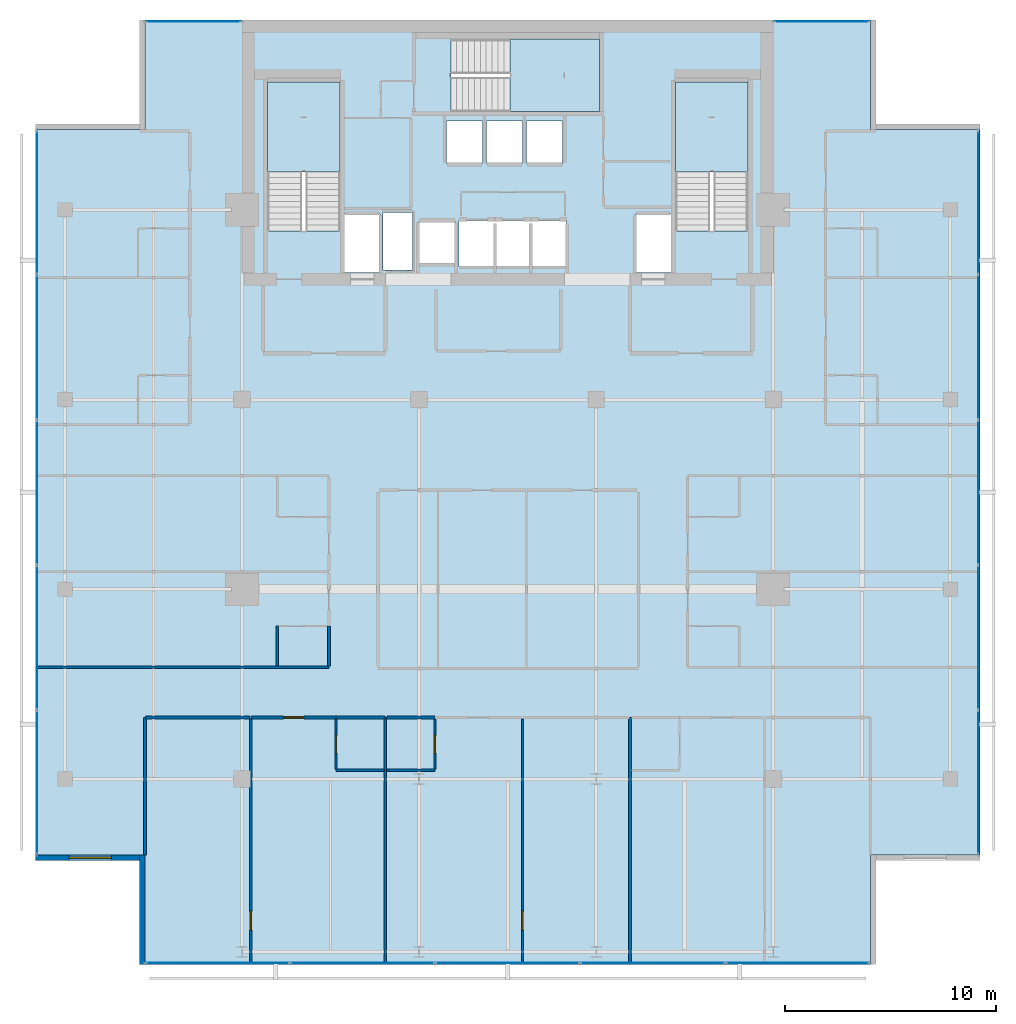
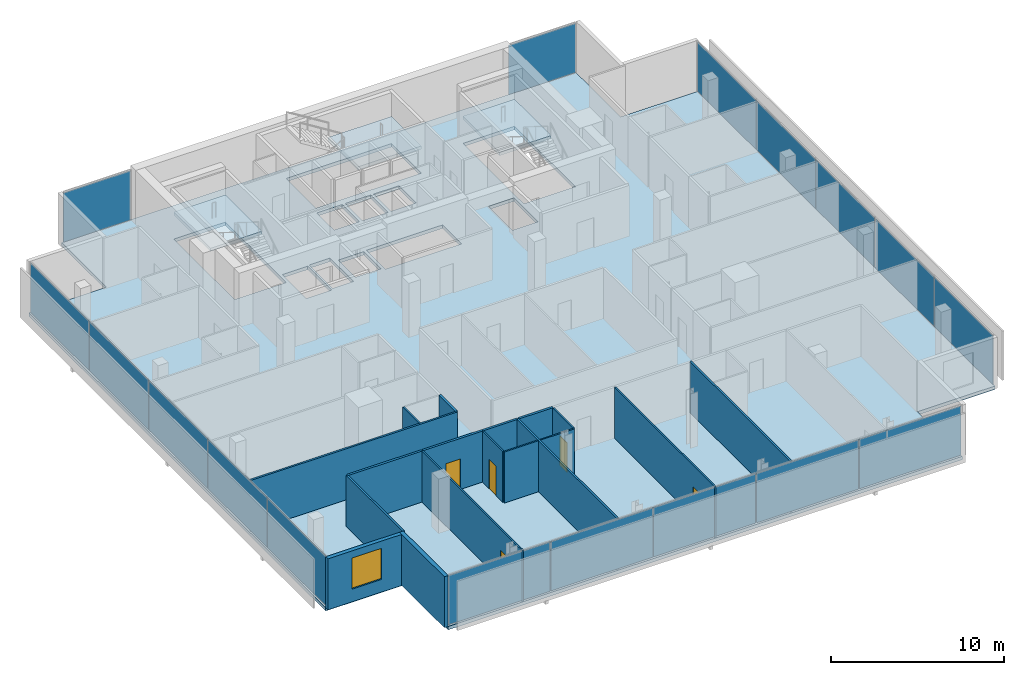
# One storey, part 19 of 25: 18 walls, 17 plates, 5 doors, 4 slabs, 1 window, 6 openings, 8 elements without a shape of their own.
"""IFC4 building model written with IfcOpenShell, lengths in metres."""

from ifc_helpers import new_model, si_unit, direction, frame, frame_2d, origin, origin_2d, place, context, subcontext, project, spatial, polyline, rectangle, outline, extrude, material, layer, layer_set, type_object, element, fill, aggregate, save


model = new_model("IFC4")

# Units and contexts
model_context = context("Model", 3, precision=1e-05, world=origin(), true_north=direction((0.0, 1.0)))
body_context = subcontext(model_context, "Body", "Model", "MODEL_VIEW")
ifc_project = project(units=[si_unit("LENGTHUNIT", "METRE"), si_unit("AREAUNIT", "SQUARE_METRE"), si_unit("VOLUMEUNIT", "CUBIC_METRE"), si_unit("PLANEANGLEUNIT", "RADIAN"), si_unit("MASSUNIT", "GRAM", prefix="KILO")], contexts=[model_context])

# Site, building, storey
site_placement = place(None, origin())
site = spatial("IfcSite", under=ifc_project, at=site_placement, CompositionType="ELEMENT")
building_placement = place(site_placement, origin())
building = spatial("IfcBuilding", under=site, at=building_placement, Name="Maruvema Waterfront Hotel and Observation Tower", CompositionType="ELEMENT")
storey_placement = place(building_placement, frame((0.0, 0.0, 304.85009765625)))
storey = spatial("IfcBuildingStorey", under=building, at=storey_placement, Name="L75", CompositionType="ELEMENT", Elevation=304.85009765625)

# Slab
ifc_material_1 = material(Name="Concrete C50/60", Category="concrete")
ifc_layer_1 = layer(ifc_material_1, 0.239990234375, Name="Reinforced Concrete Floor Slab 240 mm")
ifc_layer_set_1 = layer_set([ifc_layer_1], Name="Concrete C50/60")
slab_type_1 = type_object("IfcSlabType", Name="Reinforced Concrete Floor Slab 240 mm", PredefinedType="FLOOR", material=ifc_layer_set_1)
slab_1_placement = place(storey_placement, frame((0.0, 0.0, -0.239990234375)))
element("IfcSlab", 1, at=slab_1_placement, inside=storey, type_object=slab_type_1, Name="L75 Structural Floor Slab", PredefinedType="FLOOR", context=body_context, shape_type="SweptSolid", body=[
    extrude(outline(polyline([(20.60009765625, 9.199951171875), (55.0, 9.199951171875), (55.0, 14.39990234375), (60.199951171875, 14.39990234375), (60.199951171875, 48.800048828125), (55.0, 48.800048828125), (55.0, 54.0), (20.60009765625, 54.0), (20.60009765625, 48.800048828125), (15.39990234375, 48.800048828125), (15.39990234375, 14.39990234375), (20.60009765625, 14.39990234375), (20.60009765625, 9.199951171875)]), holes=[polyline([(26.39990234375, 44.00048828125), (26.39990234375, 51.050048828125), (29.85009765625, 51.050048828125), (29.85009765625, 44.00048828125), (26.39990234375, 44.00048828125)]), polyline([(30.050048828125, 44.800048828125), (31.75, 44.800048828125), (31.75, 42.02001953125), (30.050048828125, 42.02001953125), (30.050048828125, 44.800048828125)]), polyline([(31.8798828125, 42.139892578125), (31.8798828125, 44.860107421875), (33.280029296875, 44.860107421875), (33.280029296875, 42.139892578125), (31.8798828125, 42.139892578125)]), polyline([(33.60009765625, 44.449951171875), (35.300048828125, 44.449951171875), (35.300048828125, 42.449951171875), (33.60009765625, 42.449951171875), (33.60009765625, 44.449951171875)]), polyline([(34.89990234375, 49.199951171875), (36.60009765625, 49.199951171875), (36.60009765625, 47.199951171875), (34.89990234375, 47.199951171875), (34.89990234375, 49.199951171875)]), polyline([(36.800048828125, 47.199951171875), (36.800048828125, 49.199951171875), (38.5, 49.199951171875), (38.5, 47.199951171875), (36.800048828125, 47.199951171875)]), polyline([(35.5, 42.300048828125), (35.5, 44.5), (40.60009765625, 44.5), (40.60009765625, 42.300048828125), (35.5, 42.300048828125)]), polyline([(35.1005859375, 53.10009765625), (42.14990234375, 53.10009765625), (42.14990234375, 49.64990234375), (35.1005859375, 49.64990234375), (35.1005859375, 53.10009765625)]), polyline([(38.699951171875, 49.199951171875), (40.39990234375, 49.199951171875), (40.39990234375, 47.199951171875), (38.699951171875, 47.199951171875), (38.699951171875, 49.199951171875)]), polyline([(43.85009765625, 44.800048828125), (45.550048828125, 44.800048828125), (45.550048828125, 42.02001953125), (43.85009765625, 42.02001953125), (43.85009765625, 44.800048828125)]), polyline([(45.75, 44.00048828125), (45.75, 51.050048828125), (49.199951171875, 51.050048828125), (49.199951171875, 44.00048828125), (45.75, 44.00048828125)])]), origin(), (0.0, 0.0, 1.0), 0.239990234375),
])

# Curtain wall, plates
ifc_material_2 = material(Name="Anodised bronze aluminium and solar-control low-E IGU", Category="aluminium")
ifc_layer_2 = layer(ifc_material_2, 0.159912109375, Name="Zone 3 Champagne Inner Thermal Curtain Wall System CW-04")
ifc_layer_set_2 = layer_set([ifc_layer_2], Name="Anodised bronze aluminium and solar-control low-E IGU")
curtain_wall_type = type_object("IfcCurtainWallType", Name="Zone 3 Champagne Inner Thermal Curtain Wall System CW-04", PredefinedType="USERDEFINED", material=ifc_layer_set_2)
curtain_wall_1_placement = place(storey_placement, origin())
curtain_wall_1 = element("IfcCurtainWall", 2, at=curtain_wall_1_placement, inside=storey, type_object=curtain_wall_type, Name="L75 Curtain Wall CW-L75-S", ObjectType="UNITISED CURTAIN WALL", PredefinedType="USERDEFINED")
ifc_material_3 = material(Name="Laminated low-E solar-control double glazing", Category="glass")
ifc_layer_3 = layer(ifc_material_3, 0.035888671875, Name="Solar Control Double-Glazed Curtain Panel 36 mm")
ifc_layer_set_3 = layer_set([ifc_layer_3], Name="Laminated low-E solar-control double glazing")
plate_type = type_object("IfcPlateType", Name="Solar Control Double-Glazed Curtain Panel 36 mm", PredefinedType="CURTAIN_PANEL", material=ifc_layer_set_3)
plate_1_placement = place(storey_placement, frame((24.054931640625, 9.280029296875, 0.06005859375), z_axis=(0.0, 0.0, 1.0), x_axis=(1.0, 0.0, 0.0)))
plate_1 = element("IfcPlate", 3, at=plate_1_placement, type_object=plate_type, Name="CW-04 panel 1.1", PredefinedType="CURTAIN_PANEL", context=body_context, shape_type="SweptSolid", body=[
    extrude(rectangle(XDim=6.7900390625, YDim=0.028076171875, at=origin_2d()), origin(), (0.0, 0.0, 1.0), 3.489990234375),
])
plate_2_placement = place(storey_placement, frame((30.919921875, 9.280029296875, 0.06005859375), z_axis=(0.0, 0.0, 1.0), x_axis=(1.0, 0.0, 0.0)))
plate_2 = element("IfcPlate", 4, at=plate_2_placement, type_object=plate_type, Name="CW-04 panel 2.1", PredefinedType="CURTAIN_PANEL", context=body_context, shape_type="SweptSolid", body=[
    extrude(rectangle(XDim=6.820068359375, YDim=0.028076171875, at=origin_2d()), origin(), (0.0, 0.0, 1.0), 3.489990234375),
])
plate_3_placement = place(storey_placement, frame((37.800048828125, 9.280029296875, 0.06005859375), z_axis=(0.0, 0.0, 1.0), x_axis=(1.0, 0.0, 0.0)))
plate_3 = element("IfcPlate", 5, at=plate_3_placement, type_object=plate_type, Name="CW-04 panel 3.1", PredefinedType="CURTAIN_PANEL", context=body_context, shape_type="SweptSolid", body=[
    extrude(rectangle(XDim=6.820068359375, YDim=0.028076171875, at=origin_2d()), origin(), (0.0, 0.0, 1.0), 3.489990234375),
])
plate_4_placement = place(storey_placement, frame((44.679931640625, 9.280029296875, 0.06005859375), z_axis=(0.0, 0.0, 1.0), x_axis=(1.0, 0.0, 0.0)))
plate_4 = element("IfcPlate", 6, at=plate_4_placement, type_object=plate_type, Name="CW-04 panel 4.1", PredefinedType="CURTAIN_PANEL", context=body_context, shape_type="SweptSolid", body=[
    extrude(rectangle(XDim=6.820068359375, YDim=0.028076171875, at=origin_2d()), origin(), (0.0, 0.0, 1.0), 3.489990234375),
])
plate_5_placement = place(storey_placement, frame((51.544921875, 9.280029296875, 0.06005859375), z_axis=(0.0, 0.0, 1.0), x_axis=(1.0, 0.0, 0.0)))
plate_5 = element("IfcPlate", 7, at=plate_5_placement, type_object=plate_type, Name="CW-04 panel 5.1", PredefinedType="CURTAIN_PANEL", context=body_context, shape_type="SweptSolid", body=[
    extrude(rectangle(XDim=6.7900390625, YDim=0.028076171875, at=origin_2d()), origin(), (0.0, 0.0, 1.0), 3.489990234375),
])
aggregate(curtain_wall_1, [plate_1, plate_2, plate_3, plate_4, plate_5])

curtain_wall_2_placement = place(storey_placement, origin())
curtain_wall_2 = element("IfcCurtainWall", 8, at=curtain_wall_2_placement, inside=storey, type_object=curtain_wall_type, Name="L75 Curtain Wall CW-L75-E", ObjectType="UNITISED CURTAIN WALL", PredefinedType="USERDEFINED")
plate_6_placement = place(storey_placement, frame((60.1201171875, 17.85498046875, 0.06005859375), z_axis=(0.0, 0.0, 1.0), x_axis=(0.0, 1.0, 0.0)))
plate_6 = element("IfcPlate", 9, at=plate_6_placement, type_object=plate_type, Name="CW-04 panel 1.1", PredefinedType="CURTAIN_PANEL", context=body_context, shape_type="SweptSolid", body=[
    extrude(rectangle(XDim=6.7900390625, YDim=0.028076171875, at=origin_2d()), origin(), (0.0, 0.0, 1.0), 3.489990234375),
])
plate_7_placement = place(storey_placement, frame((60.1201171875, 24.719970703125, 0.06005859375), z_axis=(0.0, 0.0, 1.0), x_axis=(0.0, 1.0, 0.0)))
plate_7 = element("IfcPlate", 10, at=plate_7_placement, type_object=plate_type, Name="CW-04 panel 2.1", PredefinedType="CURTAIN_PANEL", context=body_context, shape_type="SweptSolid", body=[
    extrude(rectangle(XDim=6.820068359375, YDim=0.028076171875, at=origin_2d()), origin(), (0.0, 0.0, 1.0), 3.489990234375),
])
plate_8_placement = place(storey_placement, frame((60.1201171875, 31.60009765625, 0.06005859375), z_axis=(0.0, 0.0, 1.0), x_axis=(0.0, 1.0, 0.0)))
plate_8 = element("IfcPlate", 11, at=plate_8_placement, type_object=plate_type, Name="CW-04 panel 3.1", PredefinedType="CURTAIN_PANEL", context=body_context, shape_type="SweptSolid", body=[
    extrude(rectangle(XDim=6.820068359375, YDim=0.028076171875, at=origin_2d()), origin(), (0.0, 0.0, 1.0), 3.489990234375),
])
plate_9_placement = place(storey_placement, frame((60.1201171875, 38.47998046875, 0.06005859375), z_axis=(0.0, 0.0, 1.0), x_axis=(0.0, 1.0, 0.0)))
plate_9 = element("IfcPlate", 12, at=plate_9_placement, type_object=plate_type, Name="CW-04 panel 4.1", PredefinedType="CURTAIN_PANEL", context=body_context, shape_type="SweptSolid", body=[
    extrude(rectangle(XDim=6.820068359375, YDim=0.028076171875, at=origin_2d()), origin(), (0.0, 0.0, 1.0), 3.489990234375),
])
plate_10_placement = place(storey_placement, frame((60.1201171875, 45.344970703125, 0.06005859375), z_axis=(0.0, 0.0, 1.0), x_axis=(0.0, 1.0, 0.0)))
plate_10 = element("IfcPlate", 13, at=plate_10_placement, type_object=plate_type, Name="CW-04 panel 5.1", PredefinedType="CURTAIN_PANEL", context=body_context, shape_type="SweptSolid", body=[
    extrude(rectangle(XDim=6.7900390625, YDim=0.028076171875, at=origin_2d()), origin(), (0.0, 0.0, 1.0), 3.489990234375),
])
aggregate(curtain_wall_2, [plate_6, plate_7, plate_8, plate_9, plate_10])

curtain_wall_3_placement = place(storey_placement, origin())
curtain_wall_3 = element("IfcCurtainWall", 14, at=curtain_wall_3_placement, inside=storey, type_object=curtain_wall_type, Name="L75 Curtain Wall CW-L75-W", ObjectType="UNITISED CURTAIN WALL", PredefinedType="USERDEFINED")
plate_11_placement = place(storey_placement, frame((15.47998046875, 45.344970703125, 0.06005859375), z_axis=(0.0, 0.0, 1.0), x_axis=(0.0, -1.0, 0.0)))
plate_11 = element("IfcPlate", 15, at=plate_11_placement, type_object=plate_type, Name="CW-04 panel 1.1", PredefinedType="CURTAIN_PANEL", context=body_context, shape_type="SweptSolid", body=[
    extrude(rectangle(XDim=6.7900390625, YDim=0.028076171875, at=origin_2d()), origin(), (0.0, 0.0, 1.0), 3.489990234375),
])
plate_12_placement = place(storey_placement, frame((15.47998046875, 38.47998046875, 0.06005859375), z_axis=(0.0, 0.0, 1.0), x_axis=(0.0, -1.0, 0.0)))
plate_12 = element("IfcPlate", 16, at=plate_12_placement, type_object=plate_type, Name="CW-04 panel 2.1", PredefinedType="CURTAIN_PANEL", context=body_context, shape_type="SweptSolid", body=[
    extrude(rectangle(XDim=6.820068359375, YDim=0.028076171875, at=origin_2d()), origin(), (0.0, 0.0, 1.0), 3.489990234375),
])
plate_13_placement = place(storey_placement, frame((15.47998046875, 31.60009765625, 0.06005859375), z_axis=(0.0, 0.0, 1.0), x_axis=(0.0, -1.0, 0.0)))
plate_13 = element("IfcPlate", 17, at=plate_13_placement, type_object=plate_type, Name="CW-04 panel 3.1", PredefinedType="CURTAIN_PANEL", context=body_context, shape_type="SweptSolid", body=[
    extrude(rectangle(XDim=6.820068359375, YDim=0.028076171875, at=origin_2d()), origin(), (0.0, 0.0, 1.0), 3.489990234375),
])
plate_14_placement = place(storey_placement, frame((15.47998046875, 24.719970703125, 0.06005859375), z_axis=(0.0, 0.0, 1.0), x_axis=(0.0, -1.0, 0.0)))
plate_14 = element("IfcPlate", 18, at=plate_14_placement, type_object=plate_type, Name="CW-04 panel 4.1", PredefinedType="CURTAIN_PANEL", context=body_context, shape_type="SweptSolid", body=[
    extrude(rectangle(XDim=6.820068359375, YDim=0.028076171875, at=origin_2d()), origin(), (0.0, 0.0, 1.0), 3.489990234375),
])
plate_15_placement = place(storey_placement, frame((15.47998046875, 17.85498046875, 0.06005859375), z_axis=(0.0, 0.0, 1.0), x_axis=(0.0, -1.0, 0.0)))
plate_15 = element("IfcPlate", 19, at=plate_15_placement, type_object=plate_type, Name="CW-04 panel 5.1", PredefinedType="CURTAIN_PANEL", context=body_context, shape_type="SweptSolid", body=[
    extrude(rectangle(XDim=6.7900390625, YDim=0.028076171875, at=origin_2d()), origin(), (0.0, 0.0, 1.0), 3.489990234375),
])
aggregate(curtain_wall_3, [plate_11, plate_12, plate_13, plate_14, plate_15])

# Curtain wall, plate
curtain_wall_4_placement = place(storey_placement, origin())
curtain_wall_4 = element("IfcCurtainWall", 20, at=curtain_wall_4_placement, inside=storey, type_object=curtain_wall_type, Name="L75 Curtain Wall CW-L75-NW", ObjectType="UNITISED CURTAIN WALL", PredefinedType="USERDEFINED")
plate_16_placement = place(storey_placement, frame((22.89990234375, 53.919921875, 0.06005859375), z_axis=(0.0, 0.0, 1.0), x_axis=(-1.0, 0.0, 0.0)))
plate_16 = element("IfcPlate", 21, at=plate_16_placement, type_object=plate_type, Name="CW-04 panel 1.1", PredefinedType="CURTAIN_PANEL", context=body_context, shape_type="SweptSolid", body=[
    extrude(rectangle(XDim=4.47998046875, YDim=0.028076171875, at=origin_2d()), origin(), (0.0, 0.0, 1.0), 3.489990234375),
])
aggregate(curtain_wall_4, [plate_16])

curtain_wall_5_placement = place(storey_placement, origin())
curtain_wall_5 = element("IfcCurtainWall", 22, at=curtain_wall_5_placement, inside=storey, type_object=curtain_wall_type, Name="L75 Curtain Wall CW-L75-NE", ObjectType="UNITISED CURTAIN WALL", PredefinedType="USERDEFINED")
plate_17_placement = place(storey_placement, frame((52.699951171875, 53.919921875, 0.06005859375), z_axis=(0.0, 0.0, 1.0), x_axis=(-1.0, 0.0, 0.0)))
plate_17 = element("IfcPlate", 23, at=plate_17_placement, type_object=plate_type, Name="CW-04 panel 1.1", PredefinedType="CURTAIN_PANEL", context=body_context, shape_type="SweptSolid", body=[
    extrude(rectangle(XDim=4.47998046875, YDim=0.028076171875, at=origin_2d()), origin(), (0.0, 0.0, 1.0), 3.489990234375),
])
aggregate(curtain_wall_5, [plate_17])

# Stair, slab
ifc_material_4 = material(Name="Concrete C50/60", Category="concrete")
stair_type = type_object("IfcStairType", Name="Dogleg Exit Stair 1650 mm (22R x 175.0 mm)", PredefinedType="HALF_TURN_STAIR", material=ifc_material_4)
stair_1_placement = place(storey_placement, origin())
stair_1 = element("IfcStair", 24, at=stair_1_placement, inside=storey, type_object=stair_type, Name="L75 ST-01", PredefinedType="HALF_TURN_STAIR")
ifc_material_5 = material(Name="Concrete C50/60", Category="concrete")
ifc_layer_4 = layer(ifc_material_5, 0.219970703125, Name="Stair Concrete Landing Slab 220 mm")
ifc_layer_set_4 = layer_set([ifc_layer_4], Name="Concrete C50/60")
slab_type_2 = type_object("IfcSlabType", Name="Stair Concrete Landing Slab 220 mm", PredefinedType="LANDING", material=ifc_layer_set_4)
slab_2_placement = place(storey_placement, frame((0.0, 0.0, 1.704833984375)))
slab_2 = element("IfcSlab", 25, at=slab_2_placement, type_object=slab_type_2, Name="ST-01 landing 1", PredefinedType="LANDING", context=body_context, shape_type="SweptSolid", body=[
    extrude(outline(polyline([(29.85009765625, 46.800048828125), (29.85009765625, 51.050048828125), (26.39990234375, 51.050048828125), (26.39990234375, 46.800048828125), (29.85009765625, 46.800048828125)])), origin(), (0.0, 0.0, 1.0), 0.219970703125),
])
aggregate(stair_1, [slab_2])

stair_2_placement = place(storey_placement, origin())
stair_2 = element("IfcStair", 26, at=stair_2_placement, inside=storey, type_object=stair_type, Name="L75 ST-02", PredefinedType="HALF_TURN_STAIR")
slab_3_placement = place(storey_placement, frame((0.0, 0.0, 1.704833984375)))
slab_3 = element("IfcSlab", 27, at=slab_3_placement, type_object=slab_type_2, Name="ST-02 landing 1", PredefinedType="LANDING", context=body_context, shape_type="SweptSolid", body=[
    extrude(outline(polyline([(37.89990234375, 49.64990234375), (42.14990234375, 49.64990234375), (42.14990234375, 53.10009765625), (37.89990234375, 53.10009765625), (37.89990234375, 49.64990234375)])), origin(), (0.0, 0.0, 1.0), 0.219970703125),
])
aggregate(stair_2, [slab_3])

stair_3_placement = place(storey_placement, origin())
stair_3 = element("IfcStair", 28, at=stair_3_placement, inside=storey, type_object=stair_type, Name="L75 ST-03", PredefinedType="HALF_TURN_STAIR")
slab_4_placement = place(storey_placement, frame((0.0, 0.0, 1.704833984375)))
slab_4 = element("IfcSlab", 29, at=slab_4_placement, type_object=slab_type_2, Name="ST-03 landing 1", PredefinedType="LANDING", context=body_context, shape_type="SweptSolid", body=[
    extrude(outline(polyline([(49.199951171875, 46.800048828125), (49.199951171875, 51.050048828125), (45.75, 51.050048828125), (45.75, 46.800048828125), (49.199951171875, 46.800048828125)])), origin(), (0.0, 0.0, 1.0), 0.219970703125),
])
aggregate(stair_3, [slab_4])

# Walls
ifc_material_6 = material(Name="Twin-stud acoustic gypsum drywall", Category="gypsum")
ifc_layer_5 = layer(ifc_material_6, 0.14990234375, Name="Acoustic Corridor and Suite Demising Wall 150 mm")
ifc_layer_set_5 = layer_set([ifc_layer_5], Name="Twin-stud acoustic gypsum drywall")
wall_type_1 = type_object("IfcWallType", Name="Acoustic Corridor and Suite Demising Wall 150 mm", PredefinedType="PARTITIONING", material=ifc_layer_set_5)
wall_1_placement = place(storey_placement, frame((29.64990234375, 20.919921875, 0.0), z_axis=(0.0, 0.0, 1.0), x_axis=(1.0, 0.0, 0.0)))
element("IfcWall", 30, at=wall_1_placement, inside=storey, type_object=wall_type_1, Name="L75 Bath L75-S1 Back Wall 035", PredefinedType="PARTITIONING", context=body_context, shape_type="SweptSolid", body=[
    extrude(rectangle(XDim=2.330078125, YDim=0.14990234375, at=frame_2d((1.1650390625, 0.0))), origin(), (0.0, 0.0, 1.0), 3.60986328125),
])
wall_2_placement = place(storey_placement, frame((20.6201171875, 20.919921875, 0.0), z_axis=(0.0, 0.0, 1.0), x_axis=(1.0, 0.0, 0.0)))
element("IfcWall", 31, at=wall_2_placement, inside=storey, type_object=wall_type_1, Name="L75 Bedroom L75-S1 Back Wall 038", PredefinedType="PARTITIONING", context=body_context, shape_type="SweptSolid", body=[
    extrude(rectangle(XDim=4.955810546875, YDim=0.14990234375, at=frame_2d((2.47802734375, 0.0))), origin(), (0.0, 0.0, 1.0), 3.60986328125),
])

# Wall, opening, door
wall_3_placement = place(storey_placement, frame((25.656005859375, 20.919921875, 0.0), z_axis=(0.0, 0.0, 1.0), x_axis=(1.0, 0.0, 0.0)))
wall_3 = element("IfcWall", 32, at=wall_3_placement, inside=storey, type_object=wall_type_1, Name="L75 Unit L75-S1 Corridor Wall 039", PredefinedType="PARTITIONING", context=body_context, shape_type="SweptSolid", body=[
    extrude(rectangle(XDim=3.993896484375, YDim=0.14990234375, at=frame_2d((1.9970703125, 0.0))), origin(), (0.0, 0.0, 1.0), 3.60986328125),
])
opening_1_placement = place(wall_3_placement, frame((1.52197265625, 0.0, 0.0)))
opening_1 = element("IfcOpeningElement", 33, at=opening_1_placement, cuts=wall_3, Name="Opening DR-095", PredefinedType="OPENING", context=body_context, shape_type="SweptSolid", body=[
    extrude(rectangle(XDim=0.949951171875, YDim=2.14990234375, at=frame_2d((0.47509765625, 1.074951171875))), frame((0.0, 0.0849609375, 0.0), z_axis=(0.0, -1.0, 0.0), x_axis=(1.0, 0.0, 0.0)), (0.0, 0.0, 1.0), 0.169921875),
])
ifc_material_7 = material(Name="Acoustic solid-core hardwood timber leaf", Category="wood")
door_type_1 = type_object("IfcDoorType", Name="Guestroom Entrance Fire Door 950x2150 mm", OperationType="NOTDEFINED", PredefinedType="DOOR", material=ifc_material_7)
door_1_placement = place(opening_1_placement, frame((0.949951171875, 0.0, 0.0), z_axis=(0.0, 0.0, 1.0), x_axis=(-1.0, 0.0, 0.0)))
door_1 = element("IfcDoor", 34, at=door_1_placement, inside=storey, type_object=door_type_1, Name="L75 Unit L75-S1 Entrance Door", OperationType="SINGLE_SWING_RIGHT", OverallHeight=2.14990234375, OverallWidth=0.949951171875, PredefinedType="DOOR", context=body_context, shape_type="SweptSolid", body=[
    extrude(rectangle(XDim=0.949951171875, YDim=2.14990234375, at=frame_2d((0.47509765625, 1.074951171875))), frame((0.0, 0.02490234375, 0.0), z_axis=(0.0, -1.0, 0.0), x_axis=(1.0, 0.0, 0.0)), (0.0, 0.0, 1.0), 0.050048828125),
])
fill(opening_1, door_1)

# Walls
wall_4_placement = place(storey_placement, frame((32.080078125, 20.919921875, 0.0), z_axis=(0.0, 0.0, 1.0), x_axis=(1.0, 0.0, 0.0)))
element("IfcWall", 35, at=wall_4_placement, inside=storey, type_object=wall_type_1, Name="L75 Bath L75-S2 Back Wall 042", PredefinedType="PARTITIONING", context=body_context, shape_type="SweptSolid", body=[
    extrude(rectangle(XDim=2.27001953125, YDim=0.14990234375, at=frame_2d((1.135009765625, 0.0))), origin(), (0.0, 0.0, 1.0), 3.60986328125),
])
wall_5_placement = place(storey_placement, frame((29.320068359375, 23.360107421875, 0.0), z_axis=(0.0, 0.0, 1.0), x_axis=(0.0, 1.0, 0.0)))
element("IfcWall", 36, at=wall_5_placement, inside=storey, type_object=wall_type_1, Name="L75 Bath L75-W1 Wall 059", PredefinedType="PARTITIONING", context=body_context, shape_type="SweptSolid", body=[
    extrude(rectangle(XDim=1.889892578125, YDim=0.14990234375, at=frame_2d((0.94482421875, 0.0))), origin(), (0.0, 0.0, 1.0), 3.60986328125),
])
ifc_material_8 = material(Name="Moisture-resistant cement-board drywall", Category="gypsum")
ifc_layer_6 = layer(ifc_material_8, 0.10009765625, Name="En-Suite Moisture-Resistant Partition 100 mm")
ifc_layer_set_6 = layer_set([ifc_layer_6], Name="Moisture-resistant cement-board drywall")
wall_type_2 = type_object("IfcWallType", Name="En-Suite Moisture-Resistant Partition 100 mm", PredefinedType="PARTITIONING", material=ifc_layer_set_6)
wall_6_placement = place(storey_placement, frame((29.64990234375, 18.419921875, 0.0), z_axis=(0.0, 0.0, 1.0), x_axis=(1.0, 0.0, 0.0)))
element("IfcWall", 37, at=wall_6_placement, inside=storey, type_object=wall_type_2, Name="L75 En-Suite L75-S1 South 036", PredefinedType="PARTITIONING", context=body_context, shape_type="SweptSolid", body=[
    extrude(rectangle(XDim=2.31005859375, YDim=0.10009765625, at=frame_2d((1.155029296875, 0.0))), origin(), (0.0, 0.0, 1.0), 3.60986328125),
])

# Wall, opening, door
wall_7_placement = place(storey_placement, frame((29.64990234375, 18.47998046875, 0.0), z_axis=(0.0, 0.0, 1.0), x_axis=(0.0, 1.0, 0.0)))
wall_7 = element("IfcWall", 38, at=wall_7_placement, inside=storey, type_object=wall_type_2, Name="L75 En-Suite L75-S1 West 037", PredefinedType="PARTITIONING", context=body_context, shape_type="SweptSolid", body=[
    extrude(rectangle(XDim=2.340087890625, YDim=0.10009765625, at=frame_2d((1.169921875, 0.0))), origin(), (0.0, 0.0, 1.0), 3.60986328125),
])
opening_2_placement = place(wall_7_placement, frame((0.7451171875, 0.0, 0.0)))
opening_2 = element("IfcOpeningElement", 39, at=opening_2_placement, cuts=wall_7, Name="Opening DR-085", PredefinedType="OPENING", context=body_context, shape_type="SweptSolid", body=[
    extrude(rectangle(XDim=0.85009765625, YDim=2.10009765625, at=frame_2d((0.425048828125, 1.050048828125))), frame((0.0, 0.06005859375, 0.0), z_axis=(0.0, -1.0, 0.0), x_axis=(1.0, 0.0, 0.0)), (0.0, 0.0, 1.0), 0.1201171875),
])
ifc_material_9 = material(Name="Moisture-resistant solid timber leaf", Category="wood")
door_type_2 = type_object("IfcDoorType", Name="En-Suite Bathroom Door 850x2100 mm", OperationType="NOTDEFINED", PredefinedType="DOOR", material=ifc_material_9)
door_2_placement = place(opening_2_placement, origin())
door_2 = element("IfcDoor", 40, at=door_2_placement, inside=storey, type_object=door_type_2, Name="L75 En-Suite L75-S1 Door", OperationType="SINGLE_SWING_LEFT", OverallHeight=2.10009765625, OverallWidth=0.85009765625, PredefinedType="DOOR", context=body_context, shape_type="SweptSolid", body=[
    extrude(rectangle(XDim=0.85009765625, YDim=2.10009765625, at=frame_2d((0.425048828125, 1.050048828125))), frame((0.0, 0.02490234375, 0.0), z_axis=(0.0, -1.0, 0.0), x_axis=(1.0, 0.0, 0.0)), (0.0, 0.0, 1.0), 0.050048828125),
])
fill(opening_2, door_2)

wall_8_placement = place(storey_placement, frame((25.615966796875, 9.22998046875, 0.0), z_axis=(0.0, 0.0, 1.0), x_axis=(0.0, 1.0, 0.0)))
wall_8 = element("IfcWall", 41, at=wall_8_placement, inside=storey, type_object=wall_type_2, Name="L75 Suite L75-S1 Split 040", PredefinedType="PARTITIONING", context=body_context, shape_type="SweptSolid", body=[
    extrude(rectangle(XDim=11.630126953125, YDim=0.10009765625, at=frame_2d((5.81494140625, 0.0))), origin(), (0.0, 0.0, 1.0), 3.60986328125),
])
opening_3_placement = place(wall_8_placement, frame((1.60009765625, 0.0, 0.0)))
opening_3 = element("IfcOpeningElement", 42, at=opening_3_placement, cuts=wall_8, Name="Opening DR-090", PredefinedType="OPENING", context=body_context, shape_type="SweptSolid", body=[
    extrude(rectangle(XDim=0.89990234375, YDim=2.10009765625, at=frame_2d((0.449951171875, 1.050048828125))), frame((0.0, 0.06005859375, 0.0), z_axis=(0.0, -1.0, 0.0), x_axis=(1.0, 0.0, 0.0)), (0.0, 0.0, 1.0), 0.1201171875),
])
ifc_material_10 = material(Name="Solid-core lacquered timber leaf", Category="wood")
door_type_3 = type_object("IfcDoorType", Name="Accessible Toilet and Room Door 900x2100 mm", OperationType="NOTDEFINED", PredefinedType="DOOR", material=ifc_material_10)
door_3_placement = place(opening_3_placement, frame((0.89990234375, 0.0, 0.0), z_axis=(0.0, 0.0, 1.0), x_axis=(-1.0, 0.0, 0.0)))
door_3 = element("IfcDoor", 43, at=door_3_placement, inside=storey, type_object=door_type_3, Name="L75 Suite L75-S1 Bedroom Door", OperationType="SINGLE_SWING_LEFT", OverallHeight=2.10009765625, OverallWidth=0.89990234375, PredefinedType="DOOR", context=body_context, shape_type="SweptSolid", body=[
    extrude(rectangle(XDim=0.89990234375, YDim=2.10009765625, at=frame_2d((0.449951171875, 1.050048828125))), frame((0.0, 0.02490234375, 0.0), z_axis=(0.0, -1.0, 0.0), x_axis=(1.0, 0.0, 0.0)), (0.0, 0.0, 1.0), 0.050048828125),
])
fill(opening_3, door_3)

# Wall
wall_9_placement = place(storey_placement, frame((32.080078125, 18.419921875, 0.0), z_axis=(0.0, 0.0, 1.0), x_axis=(1.0, 0.0, 0.0)))
element("IfcWall", 44, at=wall_9_placement, inside=storey, type_object=wall_type_2, Name="L75 En-Suite L75-S2 South 043", PredefinedType="PARTITIONING", context=body_context, shape_type="SweptSolid", body=[
    extrude(rectangle(XDim=2.27001953125, YDim=0.10009765625, at=frame_2d((1.135009765625, 0.0))), origin(), (0.0, 0.0, 1.0), 3.60986328125),
])

# Wall, opening, door
wall_10_placement = place(storey_placement, frame((34.35009765625, 18.47998046875, 0.0), z_axis=(0.0, 0.0, 1.0), x_axis=(0.0, 1.0, 0.0)))
wall_10 = element("IfcWall", 45, at=wall_10_placement, inside=storey, type_object=wall_type_2, Name="L75 En-Suite L75-S2 East 044", PredefinedType="PARTITIONING", context=body_context, shape_type="SweptSolid", body=[
    extrude(rectangle(XDim=2.340087890625, YDim=0.10009765625, at=frame_2d((1.169921875, 0.0))), origin(), (0.0, 0.0, 1.0), 3.60986328125),
])
opening_4_placement = place(wall_10_placement, frame((0.7451171875, 0.0, 0.0)))
opening_4 = element("IfcOpeningElement", 46, at=opening_4_placement, cuts=wall_10, Name="Opening DR-085", PredefinedType="OPENING", context=body_context, shape_type="SweptSolid", body=[
    extrude(rectangle(XDim=0.85009765625, YDim=2.10009765625, at=frame_2d((0.425048828125, 1.050048828125))), frame((0.0, 0.06005859375, 0.0), z_axis=(0.0, -1.0, 0.0), x_axis=(1.0, 0.0, 0.0)), (0.0, 0.0, 1.0), 0.1201171875),
])
door_4_placement = place(opening_4_placement, frame((0.85009765625, 0.0, 0.0), z_axis=(0.0, 0.0, 1.0), x_axis=(-1.0, 0.0, 0.0)))
door_4 = element("IfcDoor", 47, at=door_4_placement, inside=storey, type_object=door_type_2, Name="L75 En-Suite L75-S2 Door", OperationType="SINGLE_SWING_RIGHT", OverallHeight=2.10009765625, OverallWidth=0.85009765625, PredefinedType="DOOR", context=body_context, shape_type="SweptSolid", body=[
    extrude(rectangle(XDim=0.85009765625, YDim=2.10009765625, at=frame_2d((0.425048828125, 1.050048828125))), frame((0.0, 0.02490234375, 0.0), z_axis=(0.0, -1.0, 0.0), x_axis=(1.0, 0.0, 0.0)), (0.0, 0.0, 1.0), 0.050048828125),
])
fill(opening_4, door_4)

wall_11_placement = place(storey_placement, frame((38.49609375, 9.22998046875, 0.0), z_axis=(0.0, 0.0, 1.0), x_axis=(0.0, 1.0, 0.0)))
wall_11 = element("IfcWall", 48, at=wall_11_placement, inside=storey, type_object=wall_type_2, Name="L75 Suite L75-S2 Split 047", PredefinedType="PARTITIONING", context=body_context, shape_type="SweptSolid", body=[
    extrude(rectangle(XDim=11.630126953125, YDim=0.10009765625, at=frame_2d((5.81494140625, 0.0))), origin(), (0.0, 0.0, 1.0), 3.60986328125),
])
opening_5_placement = place(wall_11_placement, frame((1.60009765625, 0.0, 0.0)))
opening_5 = element("IfcOpeningElement", 49, at=opening_5_placement, cuts=wall_11, Name="Opening DR-090", PredefinedType="OPENING", context=body_context, shape_type="SweptSolid", body=[
    extrude(rectangle(XDim=0.89990234375, YDim=2.10009765625, at=frame_2d((0.449951171875, 1.050048828125))), frame((0.0, 0.06005859375, 0.0), z_axis=(0.0, -1.0, 0.0), x_axis=(1.0, 0.0, 0.0)), (0.0, 0.0, 1.0), 0.1201171875),
])
door_5_placement = place(opening_5_placement, origin())
door_5 = element("IfcDoor", 50, at=door_5_placement, inside=storey, type_object=door_type_3, Name="L75 Suite L75-S2 Bedroom Door", OperationType="SINGLE_SWING_RIGHT", OverallHeight=2.10009765625, OverallWidth=0.89990234375, PredefinedType="DOOR", context=body_context, shape_type="SweptSolid", body=[
    extrude(rectangle(XDim=0.89990234375, YDim=2.10009765625, at=frame_2d((0.449951171875, 1.050048828125))), frame((0.0, 0.02490234375, 0.0), z_axis=(0.0, -1.0, 0.0), x_axis=(1.0, 0.0, 0.0)), (0.0, 0.0, 1.0), 0.050048828125),
])
fill(opening_5, door_5)

# Walls
wall_12_placement = place(storey_placement, frame((26.8701171875, 23.360107421875, 0.0), z_axis=(0.0, 0.0, 1.0), x_axis=(0.0, 1.0, 0.0)))
element("IfcWall", 51, at=wall_12_placement, inside=storey, type_object=wall_type_2, Name="L75 En-Suite L75-W1 W 061", PredefinedType="PARTITIONING", context=body_context, shape_type="SweptSolid", body=[
    extrude(rectangle(XDim=1.889892578125, YDim=0.10009765625, at=frame_2d((0.94482421875, 0.0))), origin(), (0.0, 0.0, 1.0), 3.60986328125),
])
ifc_material_11 = material(Name="Precast concrete C45/55 with honed Pernambuco granite facing", Category="masonry")
ifc_layer_7 = layer(ifc_material_11, 0.260009765625, Name="Exterior Granite Clad Spandrel and Pier Wall 260 mm")
ifc_layer_set_7 = layer_set([ifc_layer_7], Name="Precast concrete C45/55 with honed Pernambuco granite facing")
wall_type_3 = type_object("IfcWallType", Name="Exterior Granite Clad Spandrel and Pier Wall 260 mm", PredefinedType="SOLIDWALL", material=ifc_layer_set_7)
wall_13_placement = place(storey_placement, frame((20.469970703125, 9.199951171875, 0.0), z_axis=(0.0, 0.0, 1.0), x_axis=(0.0, 1.0, 0.0)))
element("IfcWall", 52, at=wall_13_placement, inside=storey, type_object=wall_type_3, Name="L75 Corner Notch Granite Pier Wall SW1", PredefinedType="SOLIDWALL", context=body_context, shape_type="SweptSolid", body=[
    extrude(rectangle(XDim=5.199951171875, YDim=0.260009765625, at=frame_2d((2.60009765625, 0.0))), origin(), (0.0, 0.0, 1.0), 3.60986328125),
])

# Wall, opening, window
wall_14_placement = place(storey_placement, frame((20.60009765625, 14.27001953125, 0.0), z_axis=(0.0, 0.0, 1.0), x_axis=(-1.0, 0.0, 0.0)))
wall_14 = element("IfcWall", 53, at=wall_14_placement, inside=storey, type_object=wall_type_3, Name="L75 Corner Notch Granite Pier Wall SW2", PredefinedType="SOLIDWALL", context=body_context, shape_type="SweptSolid", body=[
    extrude(rectangle(XDim=5.2001953125, YDim=0.260009765625, at=frame_2d((2.60009765625, 0.0))), origin(), (0.0, 0.0, 1.0), 3.60986328125),
])
opening_6_placement = place(wall_14_placement, frame((1.60009765625, 0.0, 0.89990234375)))
opening_6 = element("IfcOpeningElement", 54, at=opening_6_placement, cuts=wall_14, Name="Opening WN-03", PredefinedType="OPENING", context=body_context, shape_type="SweptSolid", body=[
    extrude(rectangle(XDim=2.0, YDim=2.199951171875, at=frame_2d((1.0, 1.10009765625))), frame((0.0, 0.14013671875, 0.0), z_axis=(0.0, -1.0, 0.0), x_axis=(1.0, 0.0, 0.0)), (0.0, 0.0, 1.0), 0.280029296875),
])
ifc_material_12 = material(Name="Anodised bronze aluminium frame with laminated low-E glass", Category="aluminium")
window_type = type_object("IfcWindowType", Name="Sky Suite Panoramic Notch Window 2000x2200 mm", PartitioningType="SINGLE_PANEL", PredefinedType="WINDOW", material=ifc_material_12)
window_placement = place(opening_6_placement, origin())
window = element("IfcWindow", 55, at=window_placement, inside=storey, type_object=window_type, Name="L75 Corner Notch Punched Window SW2", OverallHeight=2.199951171875, OverallWidth=2.0, PartitioningType="SINGLE_PANEL", PredefinedType="WINDOW", context=body_context, shape_type="SweptSolid", body=[
    extrude(rectangle(XDim=2.0, YDim=2.199951171875, at=frame_2d((1.0, 1.10009765625))), frame((0.0, 0.030029296875, 0.0), z_axis=(0.0, -1.0, 0.0), x_axis=(1.0, 0.0, 0.0)), (0.0, 0.0, 1.0), 0.06005859375),
])
fill(opening_6, window)

# Walls
ifc_material_13 = material(Name="Acoustic gypsum plasterboard drywall", Category="gypsum")
ifc_layer_8 = layer(ifc_material_13, 0.125, Name="Guestroom Acoustic Demising Wall 125 mm")
ifc_layer_set_8 = layer_set([ifc_layer_8], Name="Acoustic gypsum plasterboard drywall")
wall_type_4 = type_object("IfcWallType", Name="Guestroom Acoustic Demising Wall 125 mm", PredefinedType="PARTITIONING", material=ifc_layer_set_8)
wall_15_placement = place(storey_placement, frame((20.60009765625, 14.39990234375, 0.0), z_axis=(0.0, 0.0, 1.0), x_axis=(0.0, 1.0, 0.0)))
element("IfcWall", 56, at=wall_15_placement, inside=storey, type_object=wall_type_4, Name="L75 Z3 S West End 033", PredefinedType="PARTITIONING", context=body_context, shape_type="SweptSolid", body=[
    extrude(rectangle(XDim=6.52001953125, YDim=0.125, at=frame_2d((3.260009765625, 0.0))), origin(), (0.0, 0.0, 1.0), 3.60986328125),
])
for number, where, z_axis, x_axis, name in (
    (57, (32.0, 9.300048828125, 0.0), (0.0, 0.0, 1.0), (0.0, 1.0, 0.0), "L75 Z3 S Demising 2 041"),
    (58, (43.60009765625, 9.300048828125, 0.0), (0.0, 0.0, 1.0), (0.0, 1.0, 0.0), "L75 Z3 S Demising 3 048"),
):
    element("IfcWall", number, at=place(storey_placement, frame(where, z_axis=z_axis, x_axis=x_axis)), inside=storey, type_object=wall_type_4, Name=name, PredefinedType="PARTITIONING", context=body_context, shape_type="SweptSolid", body=[
        extrude(rectangle(XDim=11.619873046875, YDim=0.125, at=frame_2d((5.81005859375, 0.0))), origin(), (0.0, 0.0, 1.0), 3.60986328125),
    ])
wall_16_placement = place(storey_placement, frame((15.5, 23.300048828125, 0.0), z_axis=(0.0, 0.0, 1.0), x_axis=(1.0, 0.0, 0.0)))
element("IfcWall", 59, at=wall_16_placement, inside=storey, type_object=wall_type_4, Name="L75 Z3 W Bot End 055", PredefinedType="PARTITIONING", context=body_context, shape_type="SweptSolid", body=[
    extrude(rectangle(XDim=13.820068359375, YDim=0.125, at=frame_2d((6.91015625, 0.0))), origin(), (0.0, 0.0, 1.0), 3.60986328125),
])

save(model, "model.ifc")
